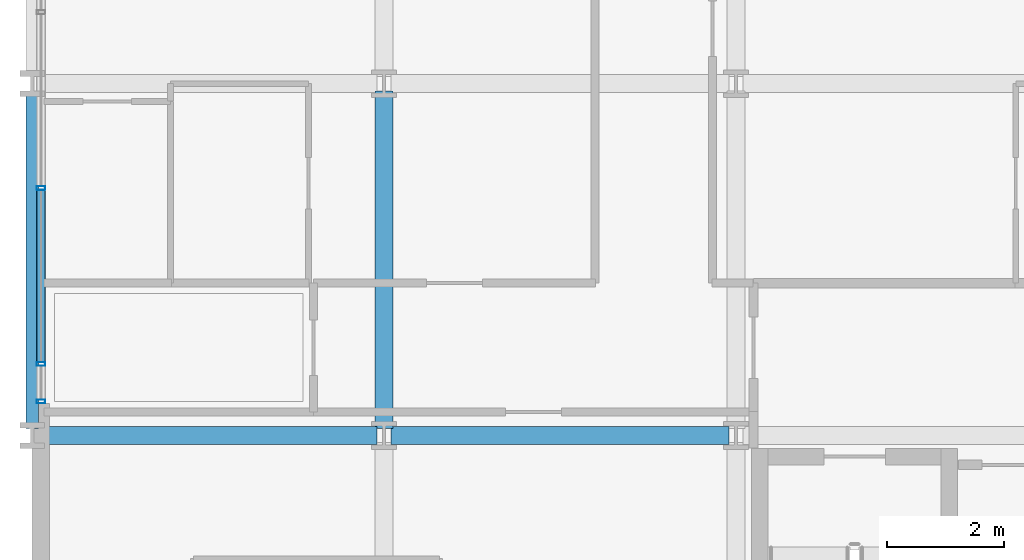
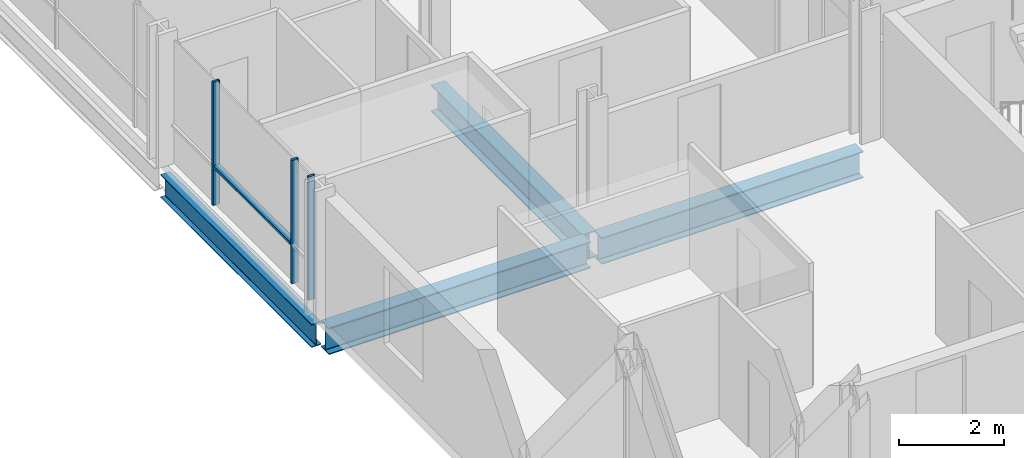
# One storey, part 2 of 41: 4 beams, 4 members, 1 element without a shape of its own.
"""IFC4 building model written with IfcOpenShell, lengths in metres."""

from ifc_helpers import new_model, si_unit, direction, frame, origin, origin_2d, place, context, subcontext, project, spatial, hollow_rectangle, i_section, extrude, material, layer, layer_set, material_profile, profile_set, type_object, element, aggregate, save


model = new_model("IFC4")

# Units and contexts
model_context = context("Model", 3, precision=1e-05, world=origin(), true_north=direction((0.0, 1.0)))
body_context = subcontext(model_context, "Body", "Model", "MODEL_VIEW")
ifc_project = project(units=[si_unit("LENGTHUNIT", "METRE"), si_unit("AREAUNIT", "SQUARE_METRE"), si_unit("VOLUMEUNIT", "CUBIC_METRE"), si_unit("PLANEANGLEUNIT", "RADIAN"), si_unit("MASSUNIT", "GRAM", prefix="KILO")], contexts=[model_context])

# Site, building, storey
site_placement = place(None, origin())
site = spatial("IfcSite", under=ifc_project, at=site_placement, CompositionType="ELEMENT")
building_placement = place(site_placement, origin())
building = spatial("IfcBuilding", under=site, at=building_placement, Name="Brevholm Reach", CompositionType="ELEMENT")
storey_placement = place(building_placement, frame((0.0, 0.0, 55.89990234375)))
storey = spatial("IfcBuildingStorey", under=building, at=storey_placement, Name="L15", CompositionType="ELEMENT", Elevation=55.89990234375)

# Beams
ifc_material_1 = material(Name="Structural Steel S355J2", Category="steel")
ifc_material_profile_1 = material_profile(ifc_material_1, i_section(OverallWidth=0.210693359375, OverallDepth=0.53955078125, WebThickness=0.01171875, FlangeThickness=0.018798828125, FilletRadius=0.0126953125, at=origin_2d()), Name="UKB 533x210x109")
ifc_profile_set_1 = profile_set([ifc_material_profile_1], Name="Structural Steel S355J2")
beam_type_1 = type_object("IfcBeamType", Name="BM-SP539", PredefinedType="SPANDREL", material=ifc_profile_set_1)
beam_placement = place(storey_placement, frame((0.0, 10.1201171875, -0.499755859375), z_axis=(0.0, 1.0, 0.0), x_axis=(-1.0, 0.0, 0.0)))
element("IfcBeam", 1, at=beam_placement, inside=storey, type_object=beam_type_1, Name="L15 SP-01B Framing Beam", PredefinedType="SPANDREL", context=body_context, shape_type="SweptSolid", body=[
    extrude(i_section(OverallWidth=0.210693359375, OverallDepth=0.53955078125, WebThickness=0.01171875, FlangeThickness=0.018798828125, FilletRadius=0.0126953125, at=origin_2d()), origin(), (0.0, 0.0, 1.0), 5.759765625),
])
ifc_material_2 = material(Name="Structural Steel S355J2", Category="steel")
ifc_material_profile_2 = material_profile(ifc_material_2, i_section(OverallWidth=0.30712890625, OverallDepth=0.6201171875, WebThickness=0.01416015625, FlangeThickness=0.023681640625, FilletRadius=0.0166015625, at=origin_2d()), Name="UKB 610x305x179")
ifc_profile_set_2 = profile_set([ifc_material_profile_2], Name="Structural Steel S355J2")
beam_type_2 = type_object("IfcBeamType", Name="BM-UKB610H", PredefinedType="USERDEFINED", material=ifc_profile_set_2)
for number, where, z_axis, x_axis, name in (
    (2, (0.1201171875, 10.0, -0.5400390625), (1.0, 0.0, 0.0), (0.0, 1.0, 0.0), "L15 G-06 Framing Beam"),
    (3, (6.1201171875, 10.0, -0.5400390625), (1.0, 0.0, 0.0), (0.0, 1.0, 0.0), "L15 G-06 Framing Beam"),
    (4, (6.0, 10.1201171875, -0.5400390625), (0.0, 1.0, 0.0), (-1.0, 0.0, 0.0), "L15 G-06 Framing Beam"),
):
    element("IfcBeam", number, at=place(storey_placement, frame(where, z_axis=z_axis, x_axis=x_axis)), inside=storey, type_object=beam_type_2, Name=name, ObjectType="GIRDER", PredefinedType="USERDEFINED", context=body_context, shape_type="SweptSolid", body=[
        extrude(i_section(OverallWidth=0.30712890625, OverallDepth=0.6201171875, WebThickness=0.01416015625, FlangeThickness=0.023681640625, FilletRadius=0.0166015625, at=origin_2d()), origin(), (0.0, 0.0, 1.0), 5.759765625),
    ])

# Curtain wall, members
ifc_material_3 = material(Name="Dark Anodised Aluminium 6063-T6 and Solar-Control Glass", Category="aluminium")
ifc_layer = layer(ifc_material_3, 0.14990234375)
ifc_layer_set = layer_set([ifc_layer], Name="Dark Anodised Aluminium 6063-T6 and Solar-Control Glass")
curtain_wall_type = type_object("IfcCurtainWallType", Name="CW-01", PredefinedType="NOTDEFINED", material=ifc_layer_set)
curtain_wall_placement = place(storey_placement, origin())
curtain_wall = element("IfcCurtainWall", 5, at=curtain_wall_placement, inside=storey, type_object=curtain_wall_type, Name="L15 Curtain Wall CW-01", PredefinedType="NOTDEFINED")
ifc_material_4 = material(Name="Dark Anodised Aluminium 6063-T6", Category="aluminium")
ifc_material_profile_3 = material_profile(ifc_material_4, hollow_rectangle(XDim=0.06494140625, YDim=0.14990234375, WallThickness=0.0048828125, InnerFilletRadius=0.0048828125, OuterFilletRadius=0.010009765625, at=origin_2d()), Name="RHS 150x65x5")
ifc_profile_set_3 = profile_set([ifc_material_profile_3], Name="Dark Anodised Aluminium 6063-T6")
member_type_1 = type_object("IfcMemberType", Name="CWM-150", PredefinedType="MULLION", material=ifc_profile_set_3)
member_1_placement = place(storey_placement, frame((0.14990234375, 14.219970703125, 0.0), z_axis=(0.0, 0.0, 1.0), x_axis=(0.0, -1.0, 0.0)))
member_1 = element("IfcMember", 6, at=member_1_placement, type_object=member_type_1, Name="CM-150 Mullion 4", PredefinedType="MULLION", context=body_context, shape_type="SweptSolid", body=[
    extrude(hollow_rectangle(XDim=0.06494140625, YDim=0.14990234375, WallThickness=0.0048828125, InnerFilletRadius=0.0048828125, OuterFilletRadius=0.010009765625, at=origin_2d()), origin(), (0.0, 0.0, 1.0), 2.8701171875),
])
member_2_placement = place(storey_placement, frame((0.14990234375, 11.219970703125, 0.0), z_axis=(0.0, 0.0, 1.0), x_axis=(0.0, -1.0, 0.0)))
member_2 = element("IfcMember", 7, at=member_2_placement, type_object=member_type_1, Name="CM-150 Mullion 5", PredefinedType="MULLION", context=body_context, shape_type="SweptSolid", body=[
    extrude(hollow_rectangle(XDim=0.06494140625, YDim=0.14990234375, WallThickness=0.0048828125, InnerFilletRadius=0.0048828125, OuterFilletRadius=0.010009765625, at=origin_2d()), origin(), (0.0, 0.0, 1.0), 2.8701171875),
])
member_3_placement = place(storey_placement, frame((0.14990234375, 10.58251953125, 0.0), z_axis=(0.0, 0.0, 1.0), x_axis=(0.0, -1.0, 0.0)))
member_3 = element("IfcMember", 8, at=member_3_placement, type_object=member_type_1, Name="CM-150 Mullion 6", PredefinedType="MULLION", context=body_context, shape_type="SweptSolid", body=[
    extrude(hollow_rectangle(XDim=0.06494140625, YDim=0.14990234375, WallThickness=0.0048828125, InnerFilletRadius=0.0048828125, OuterFilletRadius=0.010009765625, at=origin_2d()), origin(), (0.0, 0.0, 1.0), 2.8701171875),
])
ifc_material_5 = material(Name="Dark Anodised Aluminium 6063-T6", Category="aluminium")
ifc_material_profile_4 = material_profile(ifc_material_5, hollow_rectangle(XDim=0.06494140625, YDim=0.14990234375, WallThickness=0.0048828125, InnerFilletRadius=0.0048828125, OuterFilletRadius=0.010009765625, at=origin_2d()), Name="RHS 150x65x5")
ifc_profile_set_4 = profile_set([ifc_material_profile_4], Name="Dark Anodised Aluminium 6063-T6")
member_type_2 = type_object("IfcMemberType", Name="CWT-150", PredefinedType="NOTDEFINED", material=ifc_profile_set_4)
member_4_placement = place(storey_placement, frame((0.14990234375, 14.1875, 0.900146484375), z_axis=(0.0, -1.0, 0.0), x_axis=(0.0, 0.0, 1.0)))
member_4 = element("IfcMember", 9, at=member_4_placement, type_object=member_type_2, Name="CT-150 Transom 4.1", ObjectType="TRANSOM", PredefinedType="USERDEFINED", context=body_context, shape_type="SweptSolid", body=[
    extrude(hollow_rectangle(XDim=0.06494140625, YDim=0.14990234375, WallThickness=0.0048828125, InnerFilletRadius=0.0048828125, OuterFilletRadius=0.010009765625, at=origin_2d()), origin(), (0.0, 0.0, 1.0), 2.93505859375),
])
aggregate(curtain_wall, [member_1, member_2, member_3, member_4])

save(model, "model.ifc")
